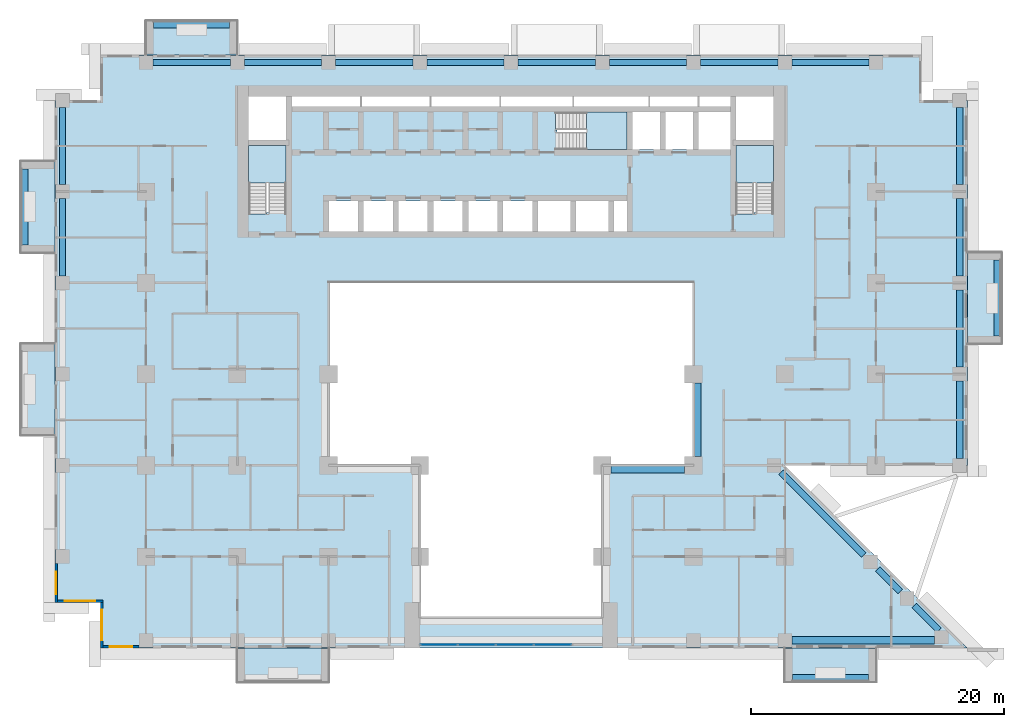
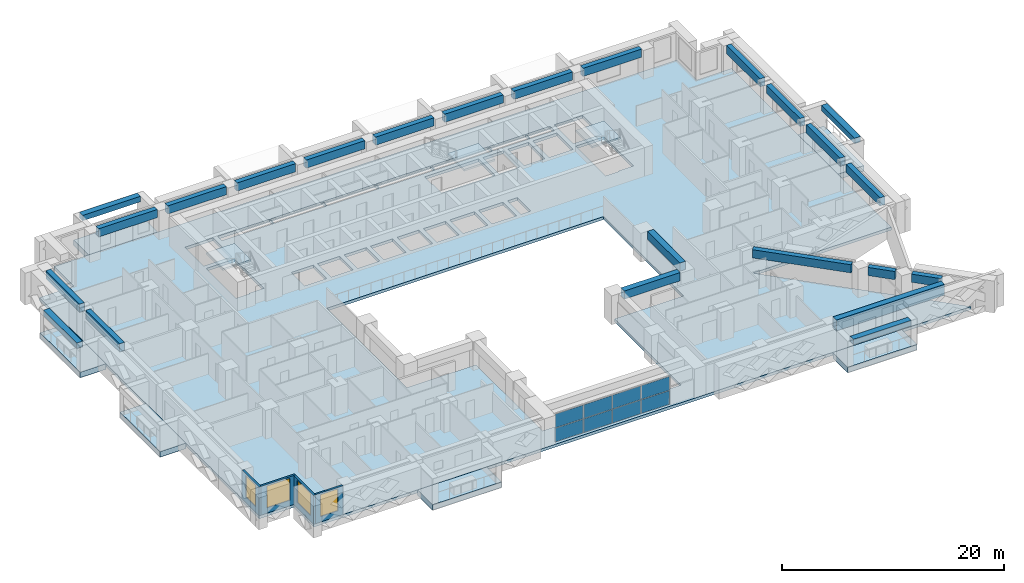
# One storey, part 5 of 17: 24 beams, 10 slabs, 8 plates, 4 walls, 4 windows, 4 openings, 4 elements without a shape of their own.
"""IFC4 building model written with IfcOpenShell, lengths in metres."""

from ifc_helpers import new_model, si_unit, direction, frame, frame_2d, origin, origin_2d, place, context, subcontext, project, spatial, polyline, rectangle, outline, extrude, source, transform, mapped, material, layer, layer_set, material_profile, profile_set, type_object, element, fill, aggregate, save


model = new_model("IFC4")

# Units and contexts
model_context = context("Model", 3, precision=1e-05, world=origin(), true_north=direction((0.0, 1.0)))
body_context = subcontext(model_context, "Body", "Model", "MODEL_VIEW")
ifc_project = project(units=[si_unit("LENGTHUNIT", "METRE"), si_unit("AREAUNIT", "SQUARE_METRE"), si_unit("VOLUMEUNIT", "CUBIC_METRE"), si_unit("PLANEANGLEUNIT", "RADIAN"), si_unit("MASSUNIT", "GRAM", prefix="KILO")], contexts=[model_context])

# Site, building, storey
site_placement = place(None, origin())
site = spatial("IfcSite", under=ifc_project, at=site_placement, CompositionType="ELEMENT")
building_placement = place(site_placement, origin())
building = spatial("IfcBuilding", under=site, at=building_placement, Name="Saffron Iwan Residences", CompositionType="ELEMENT")
storey_placement = place(building_placement, frame((0.0, 0.0, 34.0)))
storey = spatial("IfcBuildingStorey", under=building, at=storey_placement, Name="L07", CompositionType="ELEMENT", Elevation=34.0)

# Beams
ifc_material_1 = material(Name="Concrete C60/75", Category="concrete")
ifc_material_profile_1 = material_profile(ifc_material_1, rectangle(XDim=0.5, YDim=0.89990234375, at=origin_2d()), Name="RC 500x900")
ifc_profile_set_1 = profile_set([ifc_material_profile_1], Name="Concrete C60/75")
beam_type_1 = type_object("IfcBeamType", Name="SPANDREL BEAM RC 500x900 C60/75 TOP 3180", PredefinedType="SPANDREL", material=ifc_profile_set_1)
shared_shape_1 = source(origin(), body_context, "Body", "SweptSolid", [
    extrude(rectangle(XDim=0.5, YDim=0.89990234375, at=origin_2d()), origin(), (0.0, 0.0, 1.0), 6.10009765625),
])
for number, where, z_axis, x_axis, name in (
    (1, (85.800048828125, 61.85009765625, 2.72998046875), (0.0, -1.0, 0.0), (1.0, 0.0, 0.0), "Spandrel beam"),
    (2, (15.0, 62.949951171875, 2.72998046875), (0.0, 1.0, 0.0), (-1.0, 0.0, 0.0), "Spandrel beam"),
    (3, (85.800048828125, 69.050048828125, 2.72998046875), (0.0, -1.0, 0.0), (1.0, 0.0, 0.0), "Spandrel beam"),
    (4, (15.0, 70.14990234375, 2.72998046875), (0.0, 1.0, 0.0), (-1.0, 0.0, 0.0), "Spandrel beam"),
    (5, (85.800048828125, 76.25, 2.72998046875), (0.0, -1.0, 0.0), (1.0, 0.0, 0.0), "Spandrel beam"),
    (6, (22.14990234375, 79.800048828125, 2.72998046875), (1.0, 0.0, 0.0), (0.0, 1.0, 0.0), "Spandrel beam"),
    (7, (43.75, 79.800048828125, 2.72998046875), (1.0, 0.0, 0.0), (0.0, 1.0, 0.0), "Spandrel beam"),
    (8, (50.949951171875, 79.800048828125, 2.72998046875), (1.0, 0.0, 0.0), (0.0, 1.0, 0.0), "Spandrel beam"),
    (9, (58.14990234375, 79.800048828125, 2.72998046875), (1.0, 0.0, 0.0), (0.0, 1.0, 0.0), "Spandrel beam"),
):
    element("IfcBeam", number, at=place(storey_placement, frame(where, z_axis=z_axis, x_axis=x_axis)), inside=storey, type_object=beam_type_1, Name=name, PredefinedType="SPANDREL", context=body_context, shape_type="MappedRepresentation", body=[
        mapped(shared_shape_1, transform((0.0, 0.0, 0.0))),
    ])
shared_shape_2 = source(origin(), body_context, "Body", "SweptSolid", [
    extrude(rectangle(XDim=0.5, YDim=0.89990234375, at=origin_2d()), origin(), (0.0, 0.0, 1.0), 6.099853515625),
])
for number, where, z_axis, x_axis, name in (
    (10, (85.800048828125, 54.64990234375, 2.72998046875), (0.0, -1.0, 0.0), (1.0, 0.0, 0.0), "Spandrel beam"),
    (11, (29.35009765625, 79.800048828125, 2.72998046875), (1.0, 0.0, 0.0), (0.0, 1.0, 0.0), "Spandrel beam"),
    (12, (36.550048828125, 79.800048828125, 2.72998046875), (1.0, 0.0, 0.0), (0.0, 1.0, 0.0), "Spandrel beam"),
    (13, (65.35009765625, 79.800048828125, 2.72998046875), (1.0, 0.0, 0.0), (0.0, 1.0, 0.0), "Spandrel beam"),
    (14, (72.550048828125, 79.800048828125, 2.72998046875), (1.0, 0.0, 0.0), (0.0, 1.0, 0.0), "Spandrel beam"),
):
    element("IfcBeam", number, at=place(storey_placement, frame(where, z_axis=z_axis, x_axis=x_axis)), inside=storey, type_object=beam_type_1, Name=name, PredefinedType="SPANDREL", context=body_context, shape_type="MappedRepresentation", body=[
        mapped(shared_shape_2, transform((0.0, 0.0, 0.0))),
    ])
shared_shape_3 = source(origin(), body_context, "Body", "SweptSolid", [
    extrude(rectangle(XDim=0.5, YDim=0.89990234375, at=origin_2d()), origin(), (0.0, 0.0, 1.0), 2.76318359375),
])
beam_1_placement = place(storey_placement, frame((82.205810546875, 36.94580078125, 2.72998046875), z_axis=(0.707106781187, -0.707106781187, 0.0), x_axis=(0.707106781187, 0.707106781187, 0.0)))
element("IfcBeam", 15, at=beam_1_placement, inside=storey, type_object=beam_type_1, Name="Spandrel beam", PredefinedType="SPANDREL", context=body_context, shape_type="MappedRepresentation", body=[
    mapped(shared_shape_3, transform((0.0, 0.0, 0.0))),
])
shared_shape_4 = source(origin(), body_context, "Body", "SweptSolid", [
    extrude(rectangle(XDim=0.5, YDim=0.89990234375, at=origin_2d()), origin(), (0.0, 0.0, 1.0), 2.517333984375),
])
beam_2_placement = place(storey_placement, frame((79.32568359375, 39.82568359375, 2.72998046875), z_axis=(0.707106781187, -0.707106781187, 0.0), x_axis=(0.707106781187, 0.707106781187, 0.0)))
element("IfcBeam", 16, at=beam_2_placement, inside=storey, type_object=beam_type_1, Name="Spandrel beam", PredefinedType="SPANDREL", context=body_context, shape_type="MappedRepresentation", body=[
    mapped(shared_shape_4, transform((0.0, 0.0, 0.0))),
])
shared_shape_5 = source(origin(), body_context, "Body", "SweptSolid", [
    extrude(rectangle(XDim=0.5, YDim=0.89990234375, at=origin_2d()), origin(), (0.0, 0.0, 1.0), 9.228759765625),
])
beam_3_placement = place(storey_placement, frame((71.699951171875, 47.451416015625, 2.72998046875), z_axis=(0.707120008149, -0.707093553977, 0.0), x_axis=(0.707093553977, 0.707120008149, 0.0)))
element("IfcBeam", 17, at=beam_3_placement, inside=storey, type_object=beam_type_1, Name="Spandrel beam", PredefinedType="SPANDREL", context=body_context, shape_type="MappedRepresentation", body=[
    mapped(shared_shape_5, transform((0.0, 0.0, 0.0))),
])
ifc_material_profile_2 = material_profile(ifc_material_1, rectangle(XDim=0.60009765625, YDim=1.199951171875, at=origin_2d()), Name="RC 600x1200")
ifc_profile_set_2 = profile_set([ifc_material_profile_2], Name="Concrete C60/75")
beam_type_2 = type_object("IfcBeamType", Name="LINTEL BEAM RC 600x1200 C60/75 TOP 3180", PredefinedType="LINTEL", material=ifc_profile_set_2)
shared_shape_6 = source(origin(), body_context, "Body", "SweptSolid", [
    extrude(rectangle(XDim=0.60009765625, YDim=1.199951171875, at=origin_2d()), origin(), (0.0, 0.0, 1.0), 11.267333984375),
])
beam_4_placement = place(storey_placement, frame((83.8173828125, 34.199951171875, 2.580078125), z_axis=(-1.0, 0.0, 0.0), x_axis=(0.0, -1.0, 0.0)))
element("IfcBeam", 18, at=beam_4_placement, inside=storey, type_object=beam_type_2, Name="Lintel beam over the iwan", PredefinedType="LINTEL", context=body_context, shape_type="MappedRepresentation", body=[
    mapped(shared_shape_6, transform((0.0, 0.0, 0.0))),
])
ifc_material_profile_3 = material_profile(ifc_material_1, rectangle(XDim=0.60009765625, YDim=0.89990234375, at=origin_2d()), Name="RC 600x900")
ifc_profile_set_3 = profile_set([ifc_material_profile_3], Name="Concrete C60/75")
beam_type_3 = type_object("IfcBeamType", Name="BEAM RC 600x900 C60/75 TOP 3180", PredefinedType="BEAM", material=ifc_profile_set_3)
shared_shape_7 = source(origin(), body_context, "Body", "SweptSolid", [
    extrude(rectangle(XDim=0.60009765625, YDim=0.89990234375, at=origin_2d()), origin(), (0.0, 0.0, 1.0), 5.800048828125),
])
for number, where, z_axis, x_axis, name in (
    (19, (64.10009765625, 47.699951171875, 2.72998046875), (-1.0, 0.0, 0.0), (0.0, -1.0, 0.0), "Atrium edge beam"),
    (20, (65.10009765625, 54.5, 2.72998046875), (0.0, -1.0, 0.0), (1.0, 0.0, 0.0), "Atrium edge beam"),
):
    element("IfcBeam", number, at=place(storey_placement, frame(where, z_axis=z_axis, x_axis=x_axis)), inside=storey, type_object=beam_type_3, Name=name, PredefinedType="BEAM", context=body_context, shape_type="MappedRepresentation", body=[
        mapped(shared_shape_7, transform((0.0, 0.0, 0.0))),
    ])
ifc_material_2 = material(Name="Concrete C50/60 white painted", Category="concrete")
ifc_material_profile_4 = material_profile(ifc_material_2, rectangle(XDim=0.60009765625, YDim=0.60009765625, at=origin_2d()), Name="BALCONY FASCIA BEAM 600 x 600")
ifc_profile_set_4 = profile_set([ifc_material_profile_4], Name="Concrete C50/60 white painted")
beam_type_4 = type_object("IfcBeamType", Name="BALCONY FASCIA BEAM 600 x 600", PredefinedType="BEAM", material=ifc_profile_set_4)
shared_shape_8 = source(origin(), body_context, "Body", "SweptSolid", [
    extrude(rectangle(XDim=0.60009765625, YDim=0.60009765625, at=origin_2d()), origin(), (0.0, 0.0, 1.0), 6.0),
])
for number, where, z_axis, x_axis, name in (
    (21, (88.800048828125, 58.199951171875, 2.550048828125), (0.0, 1.0, 0.0), (-1.0, 0.0, 0.0), "Balcony fascia beam L07 F2-0"),
    (22, (28.199951171875, 82.800048828125, 2.550048828125), (-1.0, 0.0, 0.0), (0.0, -1.0, 0.0), "Balcony fascia beam L07 F5-3"),
    (23, (12.0, 71.39990234375, 2.550048828125), (0.0, -1.0, 0.0), (1.0, 0.0, 0.0), "Balcony fascia beam L07 F8-0"),
    (24, (72.60009765625, 31.199951171875, 2.550048828125), (1.0, 0.0, 0.0), (0.0, 1.0, 0.0), "Balcony fascia beam L07 11-1"),
):
    element("IfcBeam", number, at=place(storey_placement, frame(where, z_axis=z_axis, x_axis=x_axis)), inside=storey, type_object=beam_type_4, Name=name, PredefinedType="BEAM", context=body_context, shape_type="MappedRepresentation", body=[
        mapped(shared_shape_8, transform((0.0, 0.0, 0.0))),
    ])

# Slabs
ifc_layer_1 = layer(ifc_material_2, 0.60009765625)
ifc_layer_set_1 = layer_set([ifc_layer_1], Name="Concrete C50/60 white painted")
slab_type_1 = type_object("IfcSlabType", Name="BALCONY FRAME SLAB 600", PredefinedType="FLOOR", material=ifc_layer_set_1)
slab_1_placement = place(storey_placement, frame((0.0, 0.0, -0.60009765625)))
element("IfcSlab", 25, at=slab_1_placement, inside=storey, type_object=slab_type_1, Name="Balcony frame slab L07 F2-0", PredefinedType="FLOOR", context=body_context, shape_type="SweptSolid", body=[
    extrude(outline(polyline([(89.10009765625, 57.60009765625), (89.10009765625, 64.800048828125), (86.39990234375, 64.800048828125), (86.39990234375, 57.60009765625), (89.10009765625, 57.60009765625)])), origin(), (0.0, 0.0, 1.0), 0.60009765625),
])
slab_2_placement = place(storey_placement, frame((0.0, 0.0, -0.60009765625)))
element("IfcSlab", 26, at=slab_2_placement, inside=storey, type_object=slab_type_1, Name="Balcony frame slab L07 F5-3", PredefinedType="FLOOR", context=body_context, shape_type="SweptSolid", body=[
    extrude(outline(polyline([(28.800048828125, 83.10009765625), (21.60009765625, 83.10009765625), (21.60009765625, 80.39990234375), (28.800048828125, 80.39990234375), (28.800048828125, 83.10009765625)])), origin(), (0.0, 0.0, 1.0), 0.60009765625),
])
slab_3_placement = place(storey_placement, frame((0.0, 0.0, -0.60009765625)))
element("IfcSlab", 27, at=slab_3_placement, inside=storey, type_object=slab_type_1, Name="Balcony frame slab L07 F8-0", PredefinedType="FLOOR", context=body_context, shape_type="SweptSolid", body=[
    extrude(outline(polyline([(11.699951171875, 72.0), (11.699951171875, 64.800048828125), (14.39990234375, 64.800048828125), (14.39990234375, 72.0), (11.699951171875, 72.0)])), origin(), (0.0, 0.0, 1.0), 0.60009765625),
])
slab_4_placement = place(storey_placement, frame((0.0, 0.0, -0.60009765625)))
element("IfcSlab", 28, at=slab_4_placement, inside=storey, type_object=slab_type_1, Name="Balcony frame slab L07 F8-1", PredefinedType="FLOOR", context=body_context, shape_type="SweptSolid", body=[
    extrude(outline(polyline([(11.699951171875, 57.60009765625), (11.699951171875, 50.39990234375), (14.39990234375, 50.39990234375), (14.39990234375, 57.60009765625), (11.699951171875, 57.60009765625)])), origin(), (0.0, 0.0, 1.0), 0.60009765625),
])
slab_5_placement = place(storey_placement, frame((0.0, 0.0, -0.60009765625)))
element("IfcSlab", 29, at=slab_5_placement, inside=storey, type_object=slab_type_1, Name="Balcony frame slab L07 11-0", PredefinedType="FLOOR", context=body_context, shape_type="SweptSolid", body=[
    extrude(outline(polyline([(28.800048828125, 30.89990234375), (36.0, 30.89990234375), (36.0, 33.60009765625), (28.800048828125, 33.60009765625), (28.800048828125, 30.89990234375)])), origin(), (0.0, 0.0, 1.0), 0.60009765625),
])
slab_6_placement = place(storey_placement, frame((0.0, 0.0, -0.60009765625)))
element("IfcSlab", 30, at=slab_6_placement, inside=storey, type_object=slab_type_1, Name="Balcony frame slab L07 11-1", PredefinedType="FLOOR", context=body_context, shape_type="SweptSolid", body=[
    extrude(outline(polyline([(72.0, 30.89990234375), (79.199951171875, 30.89990234375), (79.199951171875, 33.60009765625), (72.0, 33.60009765625), (72.0, 30.89990234375)])), origin(), (0.0, 0.0, 1.0), 0.60009765625),
])
ifc_material_3 = material(Name="Concrete C40/50", Category="concrete")
ifc_layer_2 = layer(ifc_material_3, 0.320068359375)
ifc_layer_set_2 = layer_set([ifc_layer_2], Name="Concrete C40/50")
slab_type_2 = type_object("IfcSlabType", Name="PT PLATE 320 C40/50", PredefinedType="FLOOR", material=ifc_layer_set_2)
slab_7_placement = place(storey_placement, frame((0.0, 0.0, -0.320068359375)))
element("IfcSlab", 31, at=slab_7_placement, inside=storey, type_object=slab_type_2, Name="Floor slab L07", PredefinedType="FLOOR", context=body_context, shape_type="SweptSolid", body=[
    extrude(outline(polyline([(14.39990234375, 37.199951171875), (14.39990234375, 76.800048828125), (18.0, 76.800048828125), (18.0, 80.39990234375), (82.800048828125, 80.39990234375), (82.800048828125, 76.800048828125), (86.39990234375, 76.800048828125), (86.39990234375, 48.0), (72.0, 48.0), (86.39990234375, 33.60009765625), (18.0, 33.60009765625), (18.0, 37.199951171875), (14.39990234375, 37.199951171875)]), holes=[polyline([(64.800048828125, 48.0), (64.800048828125, 62.39990234375), (36.0, 62.39990234375), (36.0, 48.0), (43.199951171875, 48.0), (43.199951171875, 36.0), (57.60009765625, 36.0), (57.60009765625, 48.0), (64.800048828125, 48.0)]), polyline([(38.324951171875, 68.875), (36.02490234375, 68.875), (36.02490234375, 66.449951171875), (38.324951171875, 66.449951171875), (38.324951171875, 68.875)]), polyline([(41.074951171875, 66.449951171875), (41.074951171875, 68.875), (38.77490234375, 68.875), (38.77490234375, 66.449951171875), (41.074951171875, 66.449951171875)]), polyline([(43.824951171875, 66.449951171875), (43.824951171875, 68.875), (41.52490234375, 68.875), (41.52490234375, 66.449951171875), (43.824951171875, 66.449951171875)]), polyline([(46.574951171875, 68.875), (44.27490234375, 68.875), (44.27490234375, 66.449951171875), (46.574951171875, 66.449951171875), (46.574951171875, 68.875)]), polyline([(49.324951171875, 66.449951171875), (49.324951171875, 68.875), (47.02490234375, 68.875), (47.02490234375, 66.449951171875), (49.324951171875, 66.449951171875)]), polyline([(52.074951171875, 66.449951171875), (52.074951171875, 68.875), (49.77490234375, 68.875), (49.77490234375, 66.449951171875), (52.074951171875, 66.449951171875)]), polyline([(29.699951171875, 73.25), (29.699951171875, 67.949951171875), (29.699951171875, 67.8505859375), (31.10009765625, 67.8505859375), (31.10009765625, 67.949951171875), (32.64990234375, 67.949951171875), (32.64990234375, 73.25), (29.699951171875, 73.25)]), polyline([(32.64990234375, 73.699951171875), (32.64990234375, 77.10009765625), (29.699951171875, 77.10009765625), (29.699951171875, 73.699951171875), (32.64990234375, 73.699951171875)]), polyline([(38.5, 76.324951171875), (38.5, 77.10009765625), (33.10009765625, 77.10009765625), (33.10009765625, 76.324951171875), (38.5, 76.324951171875)]), polyline([(44.0, 77.10009765625), (38.60009765625, 77.10009765625), (38.60009765625, 76.324951171875), (44.0, 76.324951171875), (44.0, 77.10009765625)]), polyline([(49.5, 76.324951171875), (49.5, 77.10009765625), (44.10009765625, 77.10009765625), (44.10009765625, 76.324951171875), (49.5, 76.324951171875)]), polyline([(55.25, 76.324951171875), (55.25, 77.10009765625), (49.60009765625, 77.10009765625), (49.60009765625, 76.324951171875), (55.25, 76.324951171875)]), polyline([(55.074951171875, 68.875), (52.52490234375, 68.875), (52.52490234375, 66.449951171875), (55.074951171875, 66.449951171875), (55.074951171875, 68.875)]), polyline([(58.074951171875, 66.449951171875), (58.074951171875, 68.875), (55.52490234375, 68.875), (55.52490234375, 66.449951171875), (58.074951171875, 66.449951171875)]), polyline([(59.550048828125, 66.449951171875), (59.550048828125, 68.875), (58.52490234375, 68.875), (58.52490234375, 66.449951171875), (59.550048828125, 66.449951171875)]), polyline([(68.14990234375, 73.25), (68.14990234375, 67.949951171875), (68.14990234375, 67.8505859375), (69.550048828125, 67.8505859375), (69.550048828125, 67.949951171875), (71.10009765625, 67.949951171875), (71.10009765625, 73.25), (68.14990234375, 73.25)]), polyline([(53.925537109375, 74.47509765625), (54.02490234375, 74.47509765625), (54.02490234375, 72.925048828125), (59.550048828125, 72.925048828125), (59.550048828125, 75.875), (54.02490234375, 75.875), (53.925537109375, 75.875), (53.925537109375, 74.47509765625)]), polyline([(62.14990234375, 72.925048828125), (62.14990234375, 75.875), (60.0, 75.875), (60.0, 72.925048828125), (62.14990234375, 72.925048828125)]), polyline([(64.75, 75.875), (62.60009765625, 75.875), (62.60009765625, 72.925048828125), (64.75, 72.925048828125), (64.75, 75.875)]), polyline([(67.699951171875, 72.925048828125), (67.699951171875, 75.875), (65.199951171875, 75.875), (65.199951171875, 72.925048828125), (67.699951171875, 72.925048828125)]), polyline([(71.10009765625, 73.699951171875), (71.10009765625, 77.10009765625), (68.14990234375, 77.10009765625), (68.14990234375, 73.699951171875), (71.10009765625, 73.699951171875)]), polyline([(61.25, 77.10009765625), (55.35009765625, 77.10009765625), (55.35009765625, 76.324951171875), (61.25, 76.324951171875), (61.25, 77.10009765625)]), polyline([(65.14990234375, 76.324951171875), (65.14990234375, 77.10009765625), (61.35009765625, 77.10009765625), (61.35009765625, 76.324951171875), (65.14990234375, 76.324951171875)]), polyline([(67.699951171875, 76.324951171875), (67.699951171875, 77.10009765625), (65.25, 77.10009765625), (65.25, 76.324951171875), (67.699951171875, 76.324951171875)])]), origin(), (0.0, 0.0, 1.0), 0.320068359375),
])

# Stair, slab
ifc_material_4 = material(Name="Concrete C50/60", Category="concrete")
stair_type = type_object("IfcStairType", Name="Stair ST-CORE", PredefinedType="HALF_TURN_STAIR", material=ifc_material_4)
stair_1_placement = place(storey_placement, origin())
stair_1 = element("IfcStair", 32, at=stair_1_placement, inside=storey, type_object=stair_type, Name="L07 Exit Stair ST-W", PredefinedType="HALF_TURN_STAIR")
ifc_layer_3 = layer(ifc_material_4, 0.199951171875)
ifc_layer_set_3 = layer_set([ifc_layer_3], Name="Concrete C50/60")
slab_type_3 = type_object("IfcSlabType", Name="Stair landing SL-RC", PredefinedType="LANDING", material=ifc_layer_set_3)
slab_8_placement = place(storey_placement, frame((0.0, 0.0, 1.5498046875)))
slab_8 = element("IfcSlab", 33, at=slab_8_placement, type_object=slab_type_3, Name="ST-W landing 1", PredefinedType="LANDING", context=body_context, shape_type="SweptSolid", body=[
    extrude(outline(polyline([(32.64990234375, 70.280029296875), (32.64990234375, 73.25), (29.699951171875, 73.25), (29.699951171875, 70.280029296875), (32.64990234375, 70.280029296875)])), origin(), (0.0, 0.0, 1.0), 0.2001953125),
])
aggregate(stair_1, [slab_8])

stair_2_placement = place(storey_placement, origin())
stair_2 = element("IfcStair", 34, at=stair_2_placement, inside=storey, type_object=stair_type, Name="L07 Exit Stair ST-C", PredefinedType="HALF_TURN_STAIR")
slab_9_placement = place(storey_placement, frame((0.0, 0.0, 1.5498046875)))
slab_9 = element("IfcSlab", 35, at=slab_9_placement, type_object=slab_type_3, Name="ST-C landing 1", PredefinedType="LANDING", context=body_context, shape_type="SweptSolid", body=[
    extrude(outline(polyline([(56.35498046875, 72.925048828125), (59.550048828125, 72.925048828125), (59.550048828125, 75.875), (56.35498046875, 75.875), (56.35498046875, 72.925048828125)])), origin(), (0.0, 0.0, 1.0), 0.2001953125),
])
aggregate(stair_2, [slab_9])

stair_3_placement = place(storey_placement, origin())
stair_3 = element("IfcStair", 36, at=stair_3_placement, inside=storey, type_object=stair_type, Name="L07 Exit Stair ST-E", PredefinedType="HALF_TURN_STAIR")
slab_10_placement = place(storey_placement, frame((0.0, 0.0, 1.5498046875)))
slab_10 = element("IfcSlab", 37, at=slab_10_placement, type_object=slab_type_3, Name="ST-E landing 1", PredefinedType="LANDING", context=body_context, shape_type="SweptSolid", body=[
    extrude(outline(polyline([(71.10009765625, 70.280029296875), (71.10009765625, 73.25), (68.14990234375, 73.25), (68.14990234375, 70.280029296875), (71.10009765625, 70.280029296875)])), origin(), (0.0, 0.0, 1.0), 0.2001953125),
])
aggregate(stair_3, [slab_10])

# Curtain wall, plates
ifc_material_5 = material(Name="Clear glass, laminated double glazed", Category="glass")
ifc_layer_4 = layer(ifc_material_5, 0.199951171875)
ifc_layer_set_4 = layer_set([ifc_layer_4], Name="Clear glass, laminated double glazed")
curtain_wall_type = type_object("IfcCurtainWallType", Name="CW-B IWAN PORTAL", PredefinedType="NOTDEFINED", material=ifc_layer_set_4)
curtain_wall_placement = place(storey_placement, origin())
curtain_wall = element("IfcCurtainWall", 38, at=curtain_wall_placement, inside=storey, type_object=curtain_wall_type, Name="Iwan portal glazing L07.1", PredefinedType="NOTDEFINED")
ifc_layer_5 = layer(ifc_material_5, 0.028076171875)
ifc_layer_set_5 = layer_set([ifc_layer_5], Name="Clear glass, laminated double glazed")
plate_type = type_object("IfcPlateType", Name="CW-B PANEL 28", PredefinedType="CURTAIN_PANEL", material=ifc_layer_set_5)
shared_shape_9 = source(origin(), body_context, "Body", "SweptSolid", [
    extrude(rectangle(XDim=2.909912109375, YDim=0.028076171875, at=origin_2d()), origin(), (0.0, 0.0, 1.0), 1.5),
])
plate_1_placement = place(storey_placement, frame((44.715087890625, 33.85009765625, 0.06005859375), z_axis=(0.0, 0.0, 1.0), x_axis=(1.0, 0.0, 0.0)))
plate_1 = element("IfcPlate", 39, at=plate_1_placement, type_object=plate_type, Name="CW-B panel 1.1", PredefinedType="CURTAIN_PANEL", context=body_context, shape_type="MappedRepresentation", body=[
    mapped(shared_shape_9, transform((0.0, 0.0, 0.0))),
])
plate_2_placement = place(storey_placement, frame((44.715087890625, 33.85009765625, 1.6201171875), z_axis=(0.0, 0.0, 1.0), x_axis=(1.0, 0.0, 0.0)))
plate_2 = element("IfcPlate", 40, at=plate_2_placement, type_object=plate_type, Name="CW-B panel 1.2", PredefinedType="CURTAIN_PANEL", context=body_context, shape_type="MappedRepresentation", body=[
    mapped(shared_shape_9, transform((0.0, 0.0, 0.0))),
])
plate_3_placement = place(storey_placement, frame((53.68505859375, 33.85009765625, 0.06005859375), z_axis=(0.0, 0.0, 1.0), x_axis=(1.0, 0.0, 0.0)))
plate_3 = element("IfcPlate", 41, at=plate_3_placement, type_object=plate_type, Name="CW-B panel 4.1", PredefinedType="CURTAIN_PANEL", context=body_context, shape_type="MappedRepresentation", body=[
    mapped(shared_shape_9, transform((0.0, 0.0, 0.0))),
])
plate_4_placement = place(storey_placement, frame((53.68505859375, 33.85009765625, 1.6201171875), z_axis=(0.0, 0.0, 1.0), x_axis=(1.0, 0.0, 0.0)))
plate_4 = element("IfcPlate", 42, at=plate_4_placement, type_object=plate_type, Name="CW-B panel 4.2", PredefinedType="CURTAIN_PANEL", context=body_context, shape_type="MappedRepresentation", body=[
    mapped(shared_shape_9, transform((0.0, 0.0, 0.0))),
])
shared_shape_10 = source(origin(), body_context, "Body", "SweptSolid", [
    extrude(rectangle(XDim=2.93994140625, YDim=0.028076171875, at=origin_2d()), origin(), (0.0, 0.0, 1.0), 1.5),
])
plate_5_placement = place(storey_placement, frame((47.699951171875, 33.85009765625, 0.06005859375), z_axis=(0.0, 0.0, 1.0), x_axis=(1.0, 0.0, 0.0)))
plate_5 = element("IfcPlate", 43, at=plate_5_placement, type_object=plate_type, Name="CW-B panel 2.1", PredefinedType="CURTAIN_PANEL", context=body_context, shape_type="MappedRepresentation", body=[
    mapped(shared_shape_10, transform((0.0, 0.0, 0.0))),
])
plate_6_placement = place(storey_placement, frame((47.699951171875, 33.85009765625, 1.6201171875), z_axis=(0.0, 0.0, 1.0), x_axis=(1.0, 0.0, 0.0)))
plate_6 = element("IfcPlate", 44, at=plate_6_placement, type_object=plate_type, Name="CW-B panel 2.2", PredefinedType="CURTAIN_PANEL", context=body_context, shape_type="MappedRepresentation", body=[
    mapped(shared_shape_10, transform((0.0, 0.0, 0.0))),
])
plate_7_placement = place(storey_placement, frame((50.699951171875, 33.85009765625, 0.06005859375), z_axis=(0.0, 0.0, 1.0), x_axis=(1.0, 0.0, 0.0)))
plate_7 = element("IfcPlate", 45, at=plate_7_placement, type_object=plate_type, Name="CW-B panel 3.1", PredefinedType="CURTAIN_PANEL", context=body_context, shape_type="MappedRepresentation", body=[
    mapped(shared_shape_10, transform((0.0, 0.0, 0.0))),
])
plate_8_placement = place(storey_placement, frame((50.699951171875, 33.85009765625, 1.6201171875), z_axis=(0.0, 0.0, 1.0), x_axis=(1.0, 0.0, 0.0)))
plate_8 = element("IfcPlate", 46, at=plate_8_placement, type_object=plate_type, Name="CW-B panel 3.2", PredefinedType="CURTAIN_PANEL", context=body_context, shape_type="MappedRepresentation", body=[
    mapped(shared_shape_10, transform((0.0, 0.0, 0.0))),
])
aggregate(curtain_wall, [plate_1, plate_2, plate_5, plate_6, plate_7, plate_8, plate_3, plate_4])

# Wall, opening, window
ifc_layer_6 = layer(ifc_material_3, 0.199951171875)
ifc_layer_set_6 = layer_set([ifc_layer_6], Name="Concrete C40/50")
wall_type = type_object("IfcWallType", Name="EXTERNAL WALL 200", PredefinedType="SOLIDWALL", material=ifc_layer_set_6)
wall_1_placement = place(storey_placement, frame((14.5, 40.25, 0.0), z_axis=(0.0, 0.0, 1.0), x_axis=(0.0, -1.0, 0.0)))
wall_1 = element("IfcWall", 47, at=wall_1_placement, inside=storey, type_object=wall_type, Name="External wall L07 F8.5", PredefinedType="SOLIDWALL", context=body_context, shape_type="SweptSolid", body=[
    extrude(rectangle(XDim=3.050048828125, YDim=0.199951171875, at=frame_2d((1.52490234375, 0.0))), origin(), (0.0, 0.0, 1.0), 3.179931640625),
])
opening_1_placement = place(wall_1_placement, frame((0.625, 0.0, 0.60009765625)))
opening_1 = element("IfcOpeningElement", 48, at=opening_1_placement, cuts=wall_1, Name="Opening W8", PredefinedType="OPENING", context=body_context, shape_type="SweptSolid", body=[
    extrude(rectangle(XDim=1.800048828125, YDim=2.39990234375, at=frame_2d((0.89990234375, 1.199951171875))), frame((0.0, 0.10986328125, 0.0), z_axis=(0.0, -1.0, 0.0), x_axis=(1.0, 0.0, 0.0)), (0.0, 0.0, 1.0), 0.219970703125),
])
window_type_1 = type_object("IfcWindowType", Name="WINDOW 1800 x 2400", PartitioningType="DOUBLE_PANEL_VERTICAL", PredefinedType="WINDOW", material=ifc_material_5)
window_1_placement = place(opening_1_placement, origin())
window_1 = element("IfcWindow", 49, at=window_1_placement, inside=storey, type_object=window_type_1, Name="Window L07 F8.0", OverallHeight=2.39990234375, OverallWidth=1.800048828125, PartitioningType="DOUBLE_PANEL_VERTICAL", PredefinedType="WINDOW", context=body_context, shape_type="SweptSolid", body=[
    extrude(rectangle(XDim=1.800048828125, YDim=2.39990234375, at=frame_2d((0.89990234375, 1.199951171875))), frame((0.0, 0.030029296875, 0.0), z_axis=(0.0, -1.0, 0.0), x_axis=(1.0, 0.0, 0.0)), (0.0, 0.0, 1.0), 0.06005859375),
])
fill(opening_1, window_1)

wall_2_placement = place(storey_placement, frame((14.60009765625, 37.300048828125, 0.0), z_axis=(0.0, 0.0, 1.0), x_axis=(1.0, 0.0, 0.0)))
wall_2 = element("IfcWall", 50, at=wall_2_placement, inside=storey, type_object=wall_type, Name="External wall L07 F9.0", PredefinedType="SOLIDWALL", context=body_context, shape_type="SweptSolid", body=[
    extrude(rectangle(XDim=3.599853515625, YDim=0.199951171875, at=frame_2d((1.7998046875, 0.0))), origin(), (0.0, 0.0, 1.0), 3.179931640625),
])
opening_2_placement = place(wall_2_placement, frame((0.60009765625, 0.0, 0.60009765625)))
opening_2 = element("IfcOpeningElement", 51, at=opening_2_placement, cuts=wall_2, Name="Opening W1", PredefinedType="OPENING", context=body_context, shape_type="SweptSolid", body=[
    extrude(rectangle(XDim=2.39990234375, YDim=2.39990234375, at=frame_2d((1.199951171875, 1.199951171875))), frame((0.0, 0.10986328125, 0.0), z_axis=(0.0, -1.0, 0.0), x_axis=(1.0, 0.0, 0.0)), (0.0, 0.0, 1.0), 0.219970703125),
])
window_type_2 = type_object("IfcWindowType", Name="WINDOW 2400 x 2400", PartitioningType="DOUBLE_PANEL_VERTICAL", PredefinedType="WINDOW", material=ifc_material_5)
window_2_placement = place(opening_2_placement, origin())
window_2 = element("IfcWindow", 52, at=window_2_placement, inside=storey, type_object=window_type_2, Name="Window L07 F9.0", OverallHeight=2.39990234375, OverallWidth=2.39990234375, PartitioningType="DOUBLE_PANEL_VERTICAL", PredefinedType="WINDOW", context=body_context, shape_type="SweptSolid", body=[
    extrude(rectangle(XDim=2.39990234375, YDim=2.39990234375, at=frame_2d((1.199951171875, 1.199951171875))), frame((0.0, 0.030029296875, 0.0), z_axis=(0.0, -1.0, 0.0), x_axis=(1.0, 0.0, 0.0)), (0.0, 0.0, 1.0), 0.06005859375),
])
fill(opening_2, window_2)

wall_3_placement = place(storey_placement, frame((18.10009765625, 37.199951171875, 0.0), z_axis=(0.0, 0.0, 1.0), x_axis=(0.0, -1.0, 0.0)))
wall_3 = element("IfcWall", 53, at=wall_3_placement, inside=storey, type_object=wall_type, Name="External wall L07 F10.0", PredefinedType="SOLIDWALL", context=body_context, shape_type="SweptSolid", body=[
    extrude(rectangle(XDim=3.599853515625, YDim=0.199951171875, at=frame_2d((1.7998046875, 0.0))), origin(), (0.0, 0.0, 1.0), 3.179931640625),
])
opening_3_placement = place(wall_3_placement, frame((0.60009765625, 0.0, 0.60009765625)))
opening_3 = element("IfcOpeningElement", 54, at=opening_3_placement, cuts=wall_3, Name="Opening W1", PredefinedType="OPENING", context=body_context, shape_type="SweptSolid", body=[
    extrude(rectangle(XDim=2.39990234375, YDim=2.39990234375, at=frame_2d((1.199951171875, 1.199951171875))), frame((0.0, 0.10986328125, 0.0), z_axis=(0.0, -1.0, 0.0), x_axis=(1.0, 0.0, 0.0)), (0.0, 0.0, 1.0), 0.219970703125),
])
window_3_placement = place(opening_3_placement, origin())
window_3 = element("IfcWindow", 55, at=window_3_placement, inside=storey, type_object=window_type_2, Name="Window L07 F10.0", OverallHeight=2.39990234375, OverallWidth=2.39990234375, PartitioningType="DOUBLE_PANEL_VERTICAL", PredefinedType="WINDOW", context=body_context, shape_type="SweptSolid", body=[
    extrude(rectangle(XDim=2.39990234375, YDim=2.39990234375, at=frame_2d((1.199951171875, 1.199951171875))), frame((0.0, 0.030029296875, 0.0), z_axis=(0.0, -1.0, 0.0), x_axis=(1.0, 0.0, 0.0)), (0.0, 0.0, 1.0), 0.06005859375),
])
fill(opening_3, window_3)

wall_4_placement = place(storey_placement, frame((18.199951171875, 33.699951171875, 0.0), z_axis=(0.0, 0.0, 1.0), x_axis=(1.0, 0.0, 0.0)))
wall_4 = element("IfcWall", 56, at=wall_4_placement, inside=storey, type_object=wall_type, Name="External wall L07 F11.0", PredefinedType="SOLIDWALL", context=body_context, shape_type="SweptSolid", body=[
    extrude(rectangle(XDim=2.85009765625, YDim=0.199951171875, at=frame_2d((1.425048828125, 0.0))), origin(), (0.0, 0.0, 1.0), 3.179931640625),
])
opening_4_placement = place(wall_4_placement, frame((0.52490234375, 0.0, 0.60009765625)))
opening_4 = element("IfcOpeningElement", 57, at=opening_4_placement, cuts=wall_4, Name="Opening W8", PredefinedType="OPENING", context=body_context, shape_type="SweptSolid", body=[
    extrude(rectangle(XDim=1.800048828125, YDim=2.39990234375, at=frame_2d((0.89990234375, 1.199951171875))), frame((0.0, 0.10986328125, 0.0), z_axis=(0.0, -1.0, 0.0), x_axis=(1.0, 0.0, 0.0)), (0.0, 0.0, 1.0), 0.219970703125),
])
window_4_placement = place(opening_4_placement, origin())
window_4 = element("IfcWindow", 58, at=window_4_placement, inside=storey, type_object=window_type_1, Name="Window L07 F11.0", OverallHeight=2.39990234375, OverallWidth=1.800048828125, PartitioningType="DOUBLE_PANEL_VERTICAL", PredefinedType="WINDOW", context=body_context, shape_type="SweptSolid", body=[
    extrude(rectangle(XDim=1.800048828125, YDim=2.39990234375, at=frame_2d((0.89990234375, 1.199951171875))), frame((0.0, 0.030029296875, 0.0), z_axis=(0.0, -1.0, 0.0), x_axis=(1.0, 0.0, 0.0)), (0.0, 0.0, 1.0), 0.06005859375),
])
fill(opening_4, window_4)

save(model, "model.ifc")
